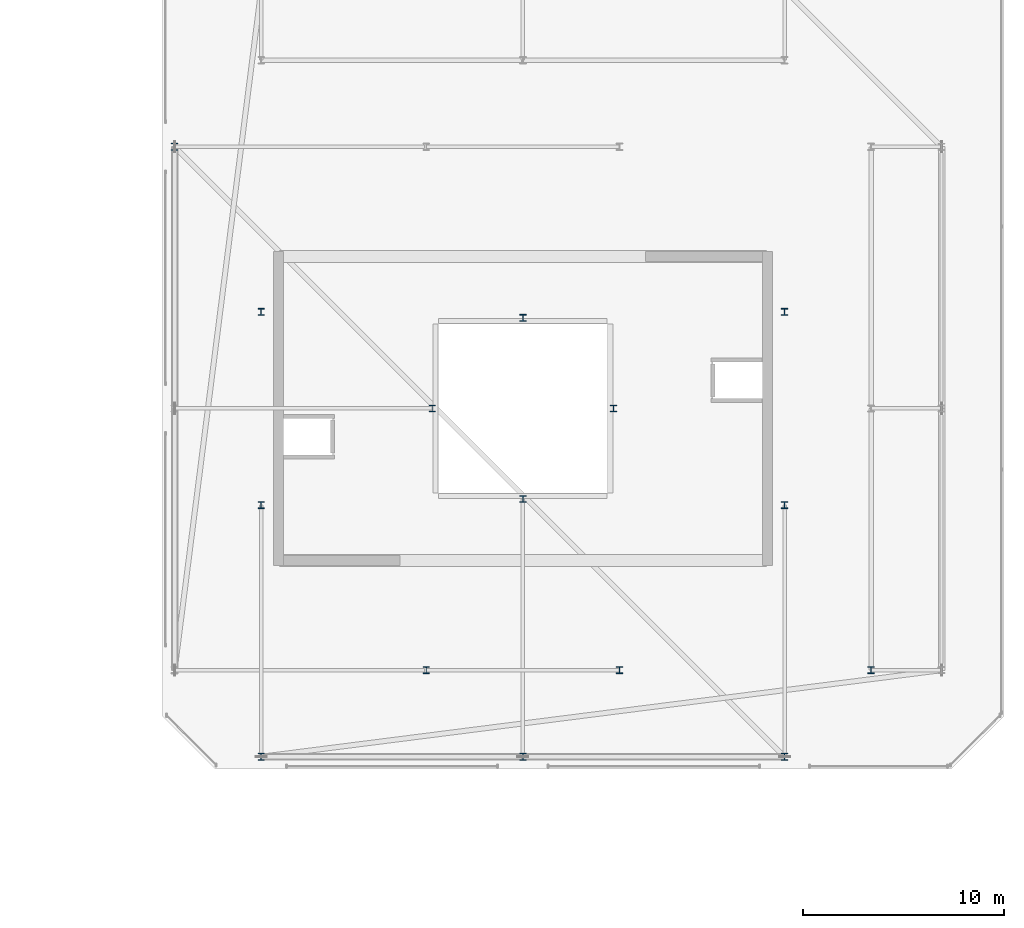
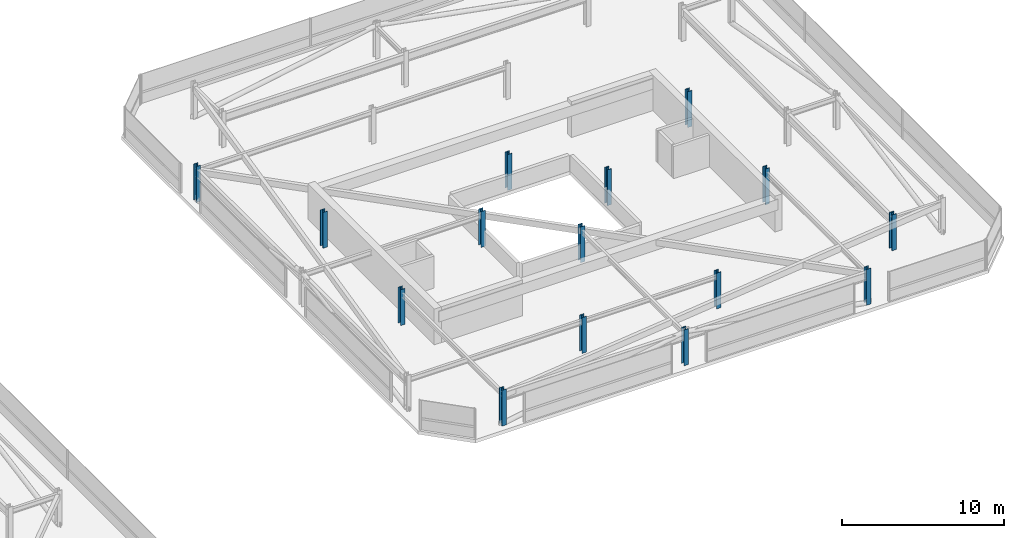
# One storey, part 4 of 42: 15 columns.
"""IFC4 building model written with IfcOpenShell, lengths in metres."""

from ifc_helpers import new_model, si_unit, direction, frame, origin, origin_2d, place, context, subcontext, project, spatial, i_section, extrude, material, material_profile, profile_set, type_object, element, save


model = new_model("IFC4")

# Units and contexts
model_context = context("Model", 3, precision=1e-05, world=origin(), true_north=direction((0.0, 1.0)))
body_context = subcontext(model_context, "Body", "Model", "MODEL_VIEW")
ifc_project = project(units=[si_unit("LENGTHUNIT", "METRE"), si_unit("AREAUNIT", "SQUARE_METRE"), si_unit("VOLUMEUNIT", "CUBIC_METRE"), si_unit("PLANEANGLEUNIT", "RADIAN"), si_unit("MASSUNIT", "GRAM", prefix="KILO")], contexts=[model_context])

# Site, building, storey
site_placement = place(None, origin())
site = spatial("IfcSite", under=ifc_project, at=site_placement, CompositionType="ELEMENT")
building_placement = place(site_placement, origin())
building = spatial("IfcBuilding", under=site, at=building_placement, Name="Thornwick Lancets Civic Towers", CompositionType="ELEMENT")
storey_placement = place(building_placement, frame((0.0, 0.0, 284.10009765625)))
storey = spatial("IfcBuildingStorey", under=building, at=storey_placement, Name="C02", CompositionType="ELEMENT", Elevation=284.10009765625)

# Columns
ifc_material = material(Name="Steel S355JR", Category="steel")
ifc_material_profile = material_profile(ifc_material, i_section(OverallWidth=0.314453125, OverallDepth=0.33984375, WebThickness=0.01904296875, FlangeThickness=0.031494140625, FilletRadius=0.01513671875, at=origin_2d()), Name="UKC 305x305x198")
ifc_profile_set = profile_set([ifc_material_profile], Name="Steel S355JR")
column_type = type_object("IfcColumnType", Name="COL_UKC_198", PredefinedType="COLUMN", material=ifc_profile_set)
for number, where, z_axis, x_axis, name in (
    (1, (105.800048828125, 14.0, 0.0), (0.0, 0.0, 1.0), (1.0, 0.0, 0.0), "C02 Spine Mega-Column B01"),
    (2, (71.199951171875, 40.0, 0.0), (0.0, 0.0, 1.0), (1.0, 0.0, 0.0), "C02 Spine Mega-Column B09"),
    (3, (101.5, 9.699951171875, 0.0), (0.0, 0.0, 1.0), (1.0, 0.0, 0.0), "C02 Spine Mega-Column B10"),
    (4, (88.5, 9.699951171875, 0.0), (0.0, 0.0, 1.0), (1.0, 0.0, 0.0), "C02 Spine Mega-Column B11"),
    (5, (75.5, 9.699951171875, 0.0), (0.0, 0.0, 1.0), (1.0, 0.0, 0.0), "C02 Spine Mega-Column B12"),
    (6, (93.300048828125, 14.0, 0.0), (0.0, 0.0, 1.0), (1.0, 0.0, 0.0), "C02 Spine Mega-Column B13"),
    (7, (83.699951171875, 14.0, 0.0), (0.0, 0.0, 1.0), (1.0, 0.0, 0.0), "C02 Spine Mega-Column B15"),
    (8, (101.5, 22.199951171875, 0.0), (0.0, 0.0, 1.0), (1.0, 0.0, 0.0), "C02 Spine Mega-Column B17"),
    (9, (101.5, 31.800048828125, 0.0), (0.0, 0.0, 1.0), (1.0, 0.0, 0.0), "C02 Spine Mega-Column B18"),
    (10, (75.5, 22.199951171875, 0.0), (0.0, 0.0, 1.0), (1.0, 0.0, 0.0), "C02 Spine Mega-Column B19"),
    (11, (75.5, 31.800048828125, 0.0), (0.0, 0.0, 1.0), (1.0, 0.0, 0.0), "C02 Spine Mega-Column B20"),
    (12, (93.0, 27.0, 0.0), (0.0, 0.0, 1.0), (1.0, 0.0, 0.0), "C02 Spine Mega-Column B21"),
    (13, (84.0, 27.0, 0.0), (0.0, 0.0, 1.0), (1.0, 0.0, 0.0), "C02 Spine Mega-Column B22"),
    (14, (88.5, 22.5, 0.0), (0.0, 0.0, 1.0), (1.0, 0.0, 0.0), "C02 Spine Mega-Column B23"),
    (15, (88.5, 31.5, 0.0), (0.0, 0.0, 1.0), (1.0, 0.0, 0.0), "C02 Spine Mega-Column B24"),
):
    element("IfcColumn", number, at=place(storey_placement, frame(where, z_axis=z_axis, x_axis=x_axis)), inside=storey, type_object=column_type, Name=name, PredefinedType="COLUMN", context=body_context, shape_type="SweptSolid", body=[
        extrude(i_section(OverallWidth=0.314453125, OverallDepth=0.33984375, WebThickness=0.01904296875, FlangeThickness=0.031494140625, FilletRadius=0.01513671875, at=origin_2d()), origin(), (0.0, 0.0, 1.0), 2.699951171875),
    ])

save(model, "model.ifc")
